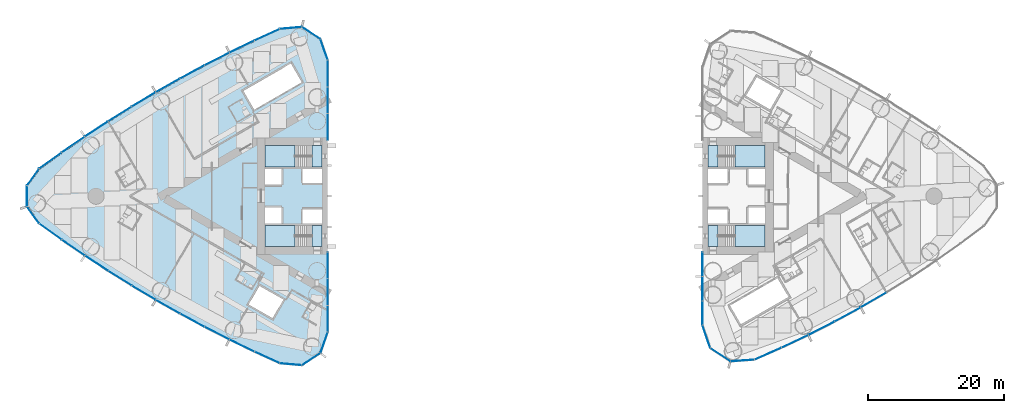
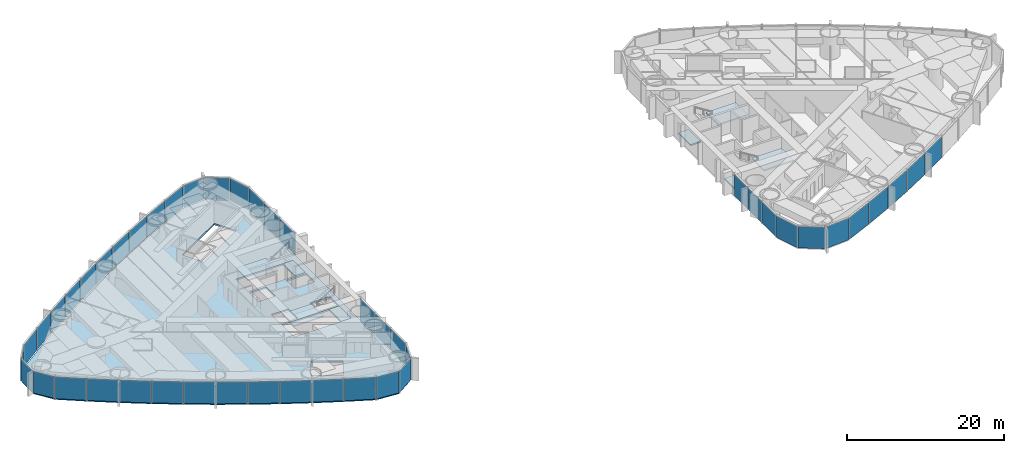
# One storey, part 9 of 18: 46 plates, 9 slabs, 6 elements without a shape of their own.
"""IFC4 building model written with IfcOpenShell, lengths in metres."""

from ifc_helpers import new_model, si_unit, direction, frame, origin, origin_2d, place, context, subcontext, project, spatial, polyline, rectangle, outline, extrude, material, layer, layer_set, type_object, element, aggregate, save


model = new_model("IFC4")

# Units and contexts
model_context = context("Model", 3, precision=1e-05, world=origin(), true_north=direction((0.0, 1.0)))
body_context = subcontext(model_context, "Body", "Model", "MODEL_VIEW")
ifc_project = project(units=[si_unit("LENGTHUNIT", "METRE"), si_unit("AREAUNIT", "SQUARE_METRE"), si_unit("VOLUMEUNIT", "CUBIC_METRE"), si_unit("PLANEANGLEUNIT", "RADIAN"), si_unit("MASSUNIT", "GRAM", prefix="KILO")], contexts=[model_context])

# Site, building, storey
site_placement = place(None, origin())
site = spatial("IfcSite", under=ifc_project, at=site_placement, CompositionType="ELEMENT")
building_placement = place(site_placement, origin())
building = spatial("IfcBuilding", under=site, at=building_placement, Name="Lancet Gate Hotel", CompositionType="ELEMENT")
storey_placement = place(building_placement, frame((0.0, 0.0, 108.10009765625)))
storey = spatial("IfcBuildingStorey", under=building, at=storey_placement, Name="L28", CompositionType="ELEMENT", Elevation=108.10009765625)

# Slab
ifc_material_1 = material(Name="Concrete C50/60", Category="concrete")
ifc_layer_1 = layer(ifc_material_1, 0.25)
ifc_layer_set_1 = layer_set([ifc_layer_1], Name="Floor slab 250")
slab_type_1 = type_object("IfcSlabType", Name="Floor slab 250", PredefinedType="FLOOR", material=ifc_layer_set_1)
slab_1_placement = place(storey_placement, frame((0.0, 0.0, -0.25)))
element("IfcSlab", 1, at=slab_1_placement, inside=storey, type_object=slab_type_1, Name="T1 L28 floor slab", PredefinedType="FLOOR", context=body_context, shape_type="SweptSolid", body=[
    extrude(outline(polyline([(-27.5, 8.60009765625), (-27.6201171875, 8.60009765625), (-27.6201171875, 19.950927734375), (-28.65966796875, 22.970947265625), (-31.320068359375, 24.69921875), (-34.5009765625, 24.421630859375), (-38.201416015625, 22.727783203125), (-41.8818359375, 20.946044921875), (-45.523193359375, 19.085693359375), (-49.12353515625, 17.147216796875), (-52.681396484375, 15.131591796875), (-56.195068359375, 13.0400390625), (-59.662841796875, 10.873291015625), (-63.0830078125, 8.63232421875), (-66.454345703125, 6.318115234375), (-69.76025390625, 3.94287109375), (-71.523193359375, 1.49755859375), (-71.523193359375, -1.49755859375), (-69.76025390625, -3.94287109375), (-66.454345703125, -6.318115234375), (-63.0830078125, -8.63232421875), (-59.662841796875, -10.873291015625), (-56.195068359375, -13.0400390625), (-52.681396484375, -15.131591796875), (-49.12353515625, -17.147216796875), (-45.523193359375, -19.085693359375), (-41.8818359375, -20.946044921875), (-38.201416015625, -22.727783203125), (-34.5009765625, -24.421630859375), (-31.320068359375, -24.69921875), (-28.65966796875, -22.970947265625), (-27.6201171875, -19.950927734375), (-27.6201171875, -8.60009765625), (-27.5, -8.60009765625), (-27.5, -8.199951171875), (-27.5, 8.199951171875), (-27.5, 8.60009765625)]), holes=[polyline([(-36.699951171875, 7.39990234375), (-36.699951171875, 4.300048828125), (-28.300048828125, 4.300048828125), (-28.300048828125, 7.39990234375), (-36.699951171875, 7.39990234375)]), polyline([(-28.300048828125, 4.0), (-31.199951171875, 4.0), (-31.199951171875, 1.89990234375), (-28.300048828125, 1.89990234375), (-28.300048828125, 4.0)]), polyline([(-34.25, 4.0), (-36.699951171875, 4.0), (-36.699951171875, 1.64990234375), (-34.25, 1.64990234375), (-34.25, 4.0)]), polyline([(-36.699951171875, -1.64990234375), (-36.699951171875, -4.0), (-34.25, -4.0), (-34.25, -1.64990234375), (-36.699951171875, -1.64990234375)]), polyline([(-28.300048828125, -1.89990234375), (-31.199951171875, -1.89990234375), (-31.199951171875, -4.0), (-28.300048828125, -4.0), (-28.300048828125, -1.89990234375)]), polyline([(-28.300048828125, -4.300048828125), (-36.699951171875, -4.300048828125), (-36.699951171875, -7.39990234375), (-28.300048828125, -7.39990234375), (-28.300048828125, -4.300048828125)]), polyline([(-31.2900390625, 16.73095703125), (-32.889892578125, 19.501953125), (-39.904052734375, 15.451904296875), (-38.303955078125, 12.680908203125), (-31.2900390625, 16.73095703125)]), polyline([(-33.97412109375, -15.180908203125), (-37.52490234375, -13.131103515625), (-39.125, -15.902099609375), (-35.573974609375, -17.951904296875), (-33.97412109375, -15.180908203125)])]), origin(), (0.0, 0.0, 1.0), 0.25),
])

# Stair, slabs
ifc_material_2 = material(Name="Exit stair 20 risers 1500")
stair_type = type_object("IfcStairType", Name="Exit stair 20 risers 1500", PredefinedType="HALF_TURN_STAIR", material=ifc_material_2)
stair_1_placement = place(storey_placement, origin())
stair_1 = element("IfcStair", 2, at=stair_1_placement, inside=storey, type_object=stair_type, Name="T1 stair 1 L28", PredefinedType="HALF_TURN_STAIR")
ifc_material_3 = material(Name="Concrete C40/50", Category="concrete")
ifc_layer_2 = layer(ifc_material_3, 0.199951171875)
ifc_layer_set_2 = layer_set([ifc_layer_2], Name="Stair landing 200")
slab_type_2 = type_object("IfcSlabType", Name="Stair landing 200", PredefinedType="LANDING", material=ifc_layer_set_2)
slab_2_placement = place(storey_placement, frame((0.0, 0.0, -0.2001953125)))
slab_2 = element("IfcSlab", 3, at=slab_2_placement, type_object=slab_type_2, Name="ST1 landing 1", PredefinedType="LANDING", context=body_context, shape_type="SweptSolid", body=[
    extrude(outline(polyline([(-28.300048828125, 7.39990234375), (-29.800048828125, 7.39990234375), (-29.800048828125, 4.300048828125), (-28.300048828125, 4.300048828125), (-28.300048828125, 7.39990234375)])), origin(), (0.0, 0.0, 1.0), 0.2001953125),
])
slab_3_placement = place(storey_placement, frame((0.0, 0.0, 1.5498046875)))
slab_3 = element("IfcSlab", 4, at=slab_3_placement, type_object=slab_type_2, Name="ST1 landing 2", PredefinedType="LANDING", context=body_context, shape_type="SweptSolid", body=[
    extrude(outline(polyline([(-32.320068359375, 7.39990234375), (-36.699951171875, 7.39990234375), (-36.699951171875, 4.300048828125), (-32.320068359375, 4.300048828125), (-32.320068359375, 7.39990234375)])), origin(), (0.0, 0.0, 1.0), 0.2001953125),
])
aggregate(stair_1, [slab_2, slab_3])

stair_2_placement = place(storey_placement, origin())
stair_2 = element("IfcStair", 5, at=stair_2_placement, inside=storey, type_object=stair_type, Name="T1 stair 2 L28", PredefinedType="HALF_TURN_STAIR")
slab_4_placement = place(storey_placement, frame((0.0, 0.0, -0.2001953125)))
slab_4 = element("IfcSlab", 6, at=slab_4_placement, type_object=slab_type_2, Name="ST2 landing 1", PredefinedType="LANDING", context=body_context, shape_type="SweptSolid", body=[
    extrude(outline(polyline([(-28.300048828125, -4.300048828125), (-29.800048828125, -4.300048828125), (-29.800048828125, -7.39990234375), (-28.300048828125, -7.39990234375), (-28.300048828125, -4.300048828125)])), origin(), (0.0, 0.0, 1.0), 0.2001953125),
])
slab_5_placement = place(storey_placement, frame((0.0, 0.0, 1.5498046875)))
slab_5 = element("IfcSlab", 7, at=slab_5_placement, type_object=slab_type_2, Name="ST2 landing 2", PredefinedType="LANDING", context=body_context, shape_type="SweptSolid", body=[
    extrude(outline(polyline([(-32.320068359375, -4.300048828125), (-36.699951171875, -4.300048828125), (-36.699951171875, -7.39990234375), (-32.320068359375, -7.39990234375), (-32.320068359375, -4.300048828125)])), origin(), (0.0, 0.0, 1.0), 0.2001953125),
])
aggregate(stair_2, [slab_4, slab_5])

stair_3_placement = place(storey_placement, origin())
stair_3 = element("IfcStair", 8, at=stair_3_placement, inside=storey, type_object=stair_type, Name="T2 stair 1 L28", PredefinedType="HALF_TURN_STAIR")
slab_6_placement = place(storey_placement, frame((0.0, 0.0, -0.2001953125)))
slab_6 = element("IfcSlab", 9, at=slab_6_placement, type_object=slab_type_2, Name="ST3 landing 1", PredefinedType="LANDING", context=body_context, shape_type="SweptSolid", body=[
    extrude(outline(polyline([(28.300048828125, -7.39990234375), (29.800048828125, -7.39990234375), (29.800048828125, -4.300048828125), (28.300048828125, -4.300048828125), (28.300048828125, -7.39990234375)])), origin(), (0.0, 0.0, 1.0), 0.2001953125),
])
slab_7_placement = place(storey_placement, frame((0.0, 0.0, 1.5498046875)))
slab_7 = element("IfcSlab", 10, at=slab_7_placement, type_object=slab_type_2, Name="ST3 landing 2", PredefinedType="LANDING", context=body_context, shape_type="SweptSolid", body=[
    extrude(outline(polyline([(32.320068359375, -7.39990234375), (36.699951171875, -7.39990234375), (36.699951171875, -4.300048828125), (32.320068359375, -4.300048828125), (32.320068359375, -7.39990234375)])), origin(), (0.0, 0.0, 1.0), 0.2001953125),
])
aggregate(stair_3, [slab_6, slab_7])

stair_4_placement = place(storey_placement, origin())
stair_4 = element("IfcStair", 11, at=stair_4_placement, inside=storey, type_object=stair_type, Name="T2 stair 2 L28", PredefinedType="HALF_TURN_STAIR")
slab_8_placement = place(storey_placement, frame((0.0, 0.0, -0.2001953125)))
slab_8 = element("IfcSlab", 12, at=slab_8_placement, type_object=slab_type_2, Name="ST4 landing 1", PredefinedType="LANDING", context=body_context, shape_type="SweptSolid", body=[
    extrude(outline(polyline([(28.300048828125, 4.300048828125), (29.800048828125, 4.300048828125), (29.800048828125, 7.39990234375), (28.300048828125, 7.39990234375), (28.300048828125, 4.300048828125)])), origin(), (0.0, 0.0, 1.0), 0.2001953125),
])
slab_9_placement = place(storey_placement, frame((0.0, 0.0, 1.5498046875)))
slab_9 = element("IfcSlab", 13, at=slab_9_placement, type_object=slab_type_2, Name="ST4 landing 2", PredefinedType="LANDING", context=body_context, shape_type="SweptSolid", body=[
    extrude(outline(polyline([(32.320068359375, 4.300048828125), (36.699951171875, 4.300048828125), (36.699951171875, 7.39990234375), (32.320068359375, 7.39990234375), (32.320068359375, 4.300048828125)])), origin(), (0.0, 0.0, 1.0), 0.2001953125),
])
aggregate(stair_4, [slab_8, slab_9])

# Curtain wall, plates
ifc_material_4 = material(Name="Aluminium curtain wall", Category="aluminium")
curtain_wall_type = type_object("IfcCurtainWallType", Name="Tower unitised curtain wall", PredefinedType="USERDEFINED", material=ifc_material_4)
curtain_wall_1_placement = place(storey_placement, origin())
curtain_wall_1 = element("IfcCurtainWall", 14, at=curtain_wall_1_placement, inside=storey, type_object=curtain_wall_type, Name="T1 L28 curtain wall 1", ObjectType="UNITISED CURTAIN WALL", PredefinedType="USERDEFINED")
ifc_material_5 = material(Name="Glass double glazed unit 8-16-6", Category="glass")
ifc_layer_3 = layer(ifc_material_5, 0.030029296875)
ifc_layer_set_3 = layer_set([ifc_layer_3], Name="Vision panel double glazed")
plate_type = type_object("IfcPlateType", Name="Vision panel double glazed", PredefinedType="CURTAIN_PANEL", material=ifc_layer_set_3)
plate_1_placement = place(storey_placement, frame((-27.5, 10.161865234375, -0.000244140625), z_axis=(0.0, 0.0, 1.0), x_axis=(0.0, 1.0, 0.0)))
plate_1 = element("IfcPlate", 15, at=plate_1_placement, type_object=plate_type, Name="T1 L28 curtain wall 1 panel 1", PredefinedType="CURTAIN_PANEL", context=body_context, shape_type="SweptSolid", body=[
    extrude(rectangle(XDim=3.858642578125, YDim=0.030029296875, at=origin_2d()), origin(), (0.0, 0.0, 1.0), 3.35009765625),
])
plate_2_placement = place(storey_placement, frame((-27.5, 14.08544921875, -0.000244140625), z_axis=(0.0, 0.0, 1.0), x_axis=(0.0, 1.0, 0.0)))
plate_2 = element("IfcPlate", 16, at=plate_2_placement, type_object=plate_type, Name="T1 L28 curtain wall 1 panel 2", PredefinedType="CURTAIN_PANEL", context=body_context, shape_type="SweptSolid", body=[
    extrude(rectangle(XDim=3.858642578125, YDim=0.030029296875, at=origin_2d()), origin(), (0.0, 0.0, 1.0), 3.35009765625),
])
plate_3_placement = place(storey_placement, frame((-27.5, 18.00927734375, -0.000244140625), z_axis=(0.0, 0.0, 1.0), x_axis=(0.0, 1.0, 0.0)))
plate_3 = element("IfcPlate", 17, at=plate_3_placement, type_object=plate_type, Name="T1 L28 curtain wall 1 panel 3", PredefinedType="CURTAIN_PANEL", context=body_context, shape_type="SweptSolid", body=[
    extrude(rectangle(XDim=3.858642578125, YDim=0.030029296875, at=origin_2d()), origin(), (0.0, 0.0, 1.0), 3.35009765625),
])
plate_4_placement = place(storey_placement, frame((-28.02978515625, 21.510009765625, -0.000244140625), z_axis=(0.0, 0.0, 1.0), x_axis=(-0.325515820766, 0.945536593914, 0.0)))
plate_4 = element("IfcPlate", 18, at=plate_4_placement, type_object=plate_type, Name="T1 L28 curtain wall 1 panel 4", PredefinedType="CURTAIN_PANEL", context=body_context, shape_type="SweptSolid", body=[
    extrude(rectangle(XDim=3.190185546875, YDim=0.030029296875, at=origin_2d()), origin(), (0.0, 0.0, 1.0), 3.35009765625),
])
plate_5_placement = place(storey_placement, frame((-29.924560546875, 23.935546875, -0.000244140625), z_axis=(0.0, 0.0, 1.0), x_axis=(-0.838580121261, 0.544778285385, 0.0)))
plate_5 = element("IfcPlate", 19, at=plate_5_placement, type_object=plate_type, Name="T1 L28 curtain wall 1 panel 5", PredefinedType="CURTAIN_PANEL", context=body_context, shape_type="SweptSolid", body=[
    extrude(rectangle(XDim=3.190185546875, YDim=0.030029296875, at=origin_2d()), origin(), (0.0, 0.0, 1.0), 3.35009765625),
])
plate_6_placement = place(storey_placement, frame((-32.91064453125, 24.680908203125, -0.000244140625), z_axis=(0.0, 0.0, 1.0), x_axis=(-0.996218779711, -0.086880049207, 0.0)))
plate_6 = element("IfcPlate", 20, at=plate_6_placement, type_object=plate_type, Name="T1 L28 curtain wall 1 panel 6", PredefinedType="CURTAIN_PANEL", context=body_context, shape_type="SweptSolid", body=[
    extrude(rectangle(XDim=3.190185546875, YDim=0.030029296875, at=origin_2d()), origin(), (0.0, 0.0, 1.0), 3.35009765625),
])
plate_7_placement = place(storey_placement, frame((-36.392333984375, 23.68798828125, -0.000244140625), z_axis=(0.0, 0.0, 1.0), x_axis=(-0.909252721243, -0.416244506166, 0.0)))
plate_7 = element("IfcPlate", 21, at=plate_7_placement, type_object=plate_type, Name="T1 L28 curtain wall 1 panel 7", PredefinedType="CURTAIN_PANEL", context=body_context, shape_type="SweptSolid", body=[
    extrude(rectangle(XDim=4.026611328125, YDim=0.030029296875, at=origin_2d()), origin(), (0.0, 0.0, 1.0), 3.35009765625),
])
plate_8_placement = place(storey_placement, frame((-40.093994140625, 21.945068359375, -0.000244140625), z_axis=(0.0, 0.0, 1.0), x_axis=(-0.900081672047, -0.435721222395, 0.0)))
plate_8 = element("IfcPlate", 22, at=plate_8_placement, type_object=plate_type, Name="T1 L28 curtain wall 1 panel 8", PredefinedType="CURTAIN_PANEL", context=body_context, shape_type="SweptSolid", body=[
    extrude(rectangle(XDim=4.026611328125, YDim=0.030029296875, at=origin_2d()), origin(), (0.0, 0.0, 1.0), 3.35009765625),
])
plate_9_placement = place(storey_placement, frame((-43.757080078125, 20.122802734375, -0.000244140625), z_axis=(0.0, 0.0, 1.0), x_axis=(-0.890493479451, -0.45499600334, 0.0)))
plate_9 = element("IfcPlate", 23, at=plate_9_placement, type_object=plate_type, Name="T1 L28 curtain wall 1 panel 9", PredefinedType="CURTAIN_PANEL", context=body_context, shape_type="SweptSolid", body=[
    extrude(rectangle(XDim=4.026611328125, YDim=0.030029296875, at=origin_2d()), origin(), (0.0, 0.0, 1.0), 3.35009765625),
])
plate_10_placement = place(storey_placement, frame((-47.380126953125, 18.221923828125, -0.000244140625), z_axis=(0.0, 0.0, 1.0), x_axis=(-0.880492587094, -0.474059916121, 0.0)))
plate_10 = element("IfcPlate", 24, at=plate_10_placement, type_object=plate_type, Name="T1 L28 curtain wall 1 panel 10", PredefinedType="CURTAIN_PANEL", context=body_context, shape_type="SweptSolid", body=[
    extrude(rectangle(XDim=4.026611328125, YDim=0.030029296875, at=origin_2d()), origin(), (0.0, 0.0, 1.0), 3.35009765625),
])
plate_11_placement = place(storey_placement, frame((-50.961669921875, 16.243896484375, -0.000244140625), z_axis=(0.0, 0.0, 1.0), x_axis=(-0.870083629903, -0.49290412554, 0.0)))
plate_11 = element("IfcPlate", 25, at=plate_11_placement, type_object=plate_type, Name="T1 L28 curtain wall 1 panel 11", PredefinedType="CURTAIN_PANEL", context=body_context, shape_type="SweptSolid", body=[
    extrude(rectangle(XDim=4.026611328125, YDim=0.030029296875, at=origin_2d()), origin(), (0.0, 0.0, 1.0), 3.35009765625),
])
plate_12_placement = place(storey_placement, frame((-54.49951171875, 14.18896484375, -0.000244140625), z_axis=(0.0, 0.0, 1.0), x_axis=(-0.859271431916, -0.511519898238, 0.0)))
plate_12 = element("IfcPlate", 26, at=plate_12_placement, type_object=plate_type, Name="T1 L28 curtain wall 1 panel 12", PredefinedType="CURTAIN_PANEL", context=body_context, shape_type="SweptSolid", body=[
    extrude(rectangle(XDim=4.026611328125, YDim=0.030029296875, at=origin_2d()), origin(), (0.0, 0.0, 1.0), 3.35009765625),
])
plate_13_placement = place(storey_placement, frame((-57.992431640625, 12.058349609375, -0.000244140625), z_axis=(0.0, 0.0, 1.0), x_axis=(-0.848061004052, -0.529898606722, 0.0)))
plate_13 = element("IfcPlate", 27, at=plate_13_placement, type_object=plate_type, Name="T1 L28 curtain wall 1 panel 13", PredefinedType="CURTAIN_PANEL", context=body_context, shape_type="SweptSolid", body=[
    extrude(rectangle(XDim=4.026611328125, YDim=0.030029296875, at=origin_2d()), origin(), (0.0, 0.0, 1.0), 3.35009765625),
])
plate_14_placement = place(storey_placement, frame((-61.438720703125, 9.85302734375, -0.000244140625), z_axis=(0.0, 0.0, 1.0), x_axis=(-0.836457541791, -0.54803173337, 0.0)))
plate_14 = element("IfcPlate", 28, at=plate_14_placement, type_object=plate_type, Name="T1 L28 curtain wall 1 panel 14", PredefinedType="CURTAIN_PANEL", context=body_context, shape_type="SweptSolid", body=[
    extrude(rectangle(XDim=4.026611328125, YDim=0.030029296875, at=origin_2d()), origin(), (0.0, 0.0, 1.0), 3.35009765625),
])
plate_15_placement = place(storey_placement, frame((-64.836669921875, 7.57421875, -0.000244140625), z_axis=(0.0, 0.0, 1.0), x_axis=(-0.824466422775, -0.565910874357, 0.0)))
plate_15 = element("IfcPlate", 29, at=plate_15_placement, type_object=plate_type, Name="T1 L28 curtain wall 1 panel 15", PredefinedType="CURTAIN_PANEL", context=body_context, shape_type="SweptSolid", body=[
    extrude(rectangle(XDim=4.026611328125, YDim=0.030029296875, at=origin_2d()), origin(), (0.0, 0.0, 1.0), 3.35009765625),
])
plate_16_placement = place(storey_placement, frame((-68.184814453125, 5.22265625, -0.000244140625), z_axis=(0.0, 0.0, 1.0), x_axis=(-0.812093204276, -0.583527743615, 0.0)))
plate_16 = element("IfcPlate", 30, at=plate_16_placement, type_object=plate_type, Name="T1 L28 curtain wall 1 panel 16", PredefinedType="CURTAIN_PANEL", context=body_context, shape_type="SweptSolid", body=[
    extrude(rectangle(XDim=4.026611328125, YDim=0.030029296875, at=origin_2d()), origin(), (0.0, 0.0, 1.0), 3.35009765625),
])
plate_17_placement = place(storey_placement, frame((-70.74462890625, 2.782470703125, -0.000244140625), z_axis=(0.0, 0.0, 1.0), x_axis=(-0.584808645706, -0.811171281486, 0.0)))
plate_17 = element("IfcPlate", 31, at=plate_17_placement, type_object=plate_type, Name="T1 L28 curtain wall 1 panel 17", PredefinedType="CURTAIN_PANEL", context=body_context, shape_type="SweptSolid", body=[
    extrude(rectangle(XDim=3.0078125, YDim=0.030029296875, at=origin_2d()), origin(), (0.0, 0.0, 1.0), 3.35009765625),
])
plate_18_placement = place(storey_placement, frame((-71.64306640625, 0.0, -0.000244140625), z_axis=(0.0, 0.0, 1.0), x_axis=(0.0, -1.0, 0.0)))
plate_18 = element("IfcPlate", 32, at=plate_18_placement, type_object=plate_type, Name="T1 L28 curtain wall 1 panel 18", PredefinedType="CURTAIN_PANEL", context=body_context, shape_type="SweptSolid", body=[
    extrude(rectangle(XDim=3.0078125, YDim=0.030029296875, at=origin_2d()), origin(), (0.0, 0.0, 1.0), 3.35009765625),
])
plate_19_placement = place(storey_placement, frame((-70.74462890625, -2.782470703125, -0.000244140625), z_axis=(0.0, 0.0, 1.0), x_axis=(0.584808645706, -0.811171281486, 0.0)))
plate_19 = element("IfcPlate", 33, at=plate_19_placement, type_object=plate_type, Name="T1 L28 curtain wall 1 panel 19", PredefinedType="CURTAIN_PANEL", context=body_context, shape_type="SweptSolid", body=[
    extrude(rectangle(XDim=3.0078125, YDim=0.030029296875, at=origin_2d()), origin(), (0.0, 0.0, 1.0), 3.35009765625),
])
plate_20_placement = place(storey_placement, frame((-68.184814453125, -5.22265625, -0.000244140625), z_axis=(0.0, 0.0, 1.0), x_axis=(0.812093204276, -0.583527743615, 0.0)))
plate_20 = element("IfcPlate", 34, at=plate_20_placement, type_object=plate_type, Name="T1 L28 curtain wall 1 panel 20", PredefinedType="CURTAIN_PANEL", context=body_context, shape_type="SweptSolid", body=[
    extrude(rectangle(XDim=4.026611328125, YDim=0.030029296875, at=origin_2d()), origin(), (0.0, 0.0, 1.0), 3.35009765625),
])
plate_21_placement = place(storey_placement, frame((-64.836669921875, -7.57421875, -0.000244140625), z_axis=(0.0, 0.0, 1.0), x_axis=(0.824466422775, -0.565910874357, 0.0)))
plate_21 = element("IfcPlate", 35, at=plate_21_placement, type_object=plate_type, Name="T1 L28 curtain wall 1 panel 21", PredefinedType="CURTAIN_PANEL", context=body_context, shape_type="SweptSolid", body=[
    extrude(rectangle(XDim=4.026611328125, YDim=0.030029296875, at=origin_2d()), origin(), (0.0, 0.0, 1.0), 3.35009765625),
])
plate_22_placement = place(storey_placement, frame((-61.438720703125, -9.85302734375, -0.000244140625), z_axis=(0.0, 0.0, 1.0), x_axis=(0.836457541791, -0.54803173337, 0.0)))
plate_22 = element("IfcPlate", 36, at=plate_22_placement, type_object=plate_type, Name="T1 L28 curtain wall 1 panel 22", PredefinedType="CURTAIN_PANEL", context=body_context, shape_type="SweptSolid", body=[
    extrude(rectangle(XDim=4.026611328125, YDim=0.030029296875, at=origin_2d()), origin(), (0.0, 0.0, 1.0), 3.35009765625),
])
plate_23_placement = place(storey_placement, frame((-57.992431640625, -12.058349609375, -0.000244140625), z_axis=(0.0, 0.0, 1.0), x_axis=(0.848061004052, -0.529898606722, 0.0)))
plate_23 = element("IfcPlate", 37, at=plate_23_placement, type_object=plate_type, Name="T1 L28 curtain wall 1 panel 23", PredefinedType="CURTAIN_PANEL", context=body_context, shape_type="SweptSolid", body=[
    extrude(rectangle(XDim=4.026611328125, YDim=0.030029296875, at=origin_2d()), origin(), (0.0, 0.0, 1.0), 3.35009765625),
])
plate_24_placement = place(storey_placement, frame((-54.49951171875, -14.18896484375, -0.000244140625), z_axis=(0.0, 0.0, 1.0), x_axis=(0.859271431916, -0.511519898238, 0.0)))
plate_24 = element("IfcPlate", 38, at=plate_24_placement, type_object=plate_type, Name="T1 L28 curtain wall 1 panel 24", PredefinedType="CURTAIN_PANEL", context=body_context, shape_type="SweptSolid", body=[
    extrude(rectangle(XDim=4.026611328125, YDim=0.030029296875, at=origin_2d()), origin(), (0.0, 0.0, 1.0), 3.35009765625),
])
plate_25_placement = place(storey_placement, frame((-50.961669921875, -16.243896484375, -0.000244140625), z_axis=(0.0, 0.0, 1.0), x_axis=(0.870083629903, -0.49290412554, 0.0)))
plate_25 = element("IfcPlate", 39, at=plate_25_placement, type_object=plate_type, Name="T1 L28 curtain wall 1 panel 25", PredefinedType="CURTAIN_PANEL", context=body_context, shape_type="SweptSolid", body=[
    extrude(rectangle(XDim=4.026611328125, YDim=0.030029296875, at=origin_2d()), origin(), (0.0, 0.0, 1.0), 3.35009765625),
])
plate_26_placement = place(storey_placement, frame((-47.380126953125, -18.221923828125, -0.000244140625), z_axis=(0.0, 0.0, 1.0), x_axis=(0.880492587094, -0.474059916121, 0.0)))
plate_26 = element("IfcPlate", 40, at=plate_26_placement, type_object=plate_type, Name="T1 L28 curtain wall 1 panel 26", PredefinedType="CURTAIN_PANEL", context=body_context, shape_type="SweptSolid", body=[
    extrude(rectangle(XDim=4.026611328125, YDim=0.030029296875, at=origin_2d()), origin(), (0.0, 0.0, 1.0), 3.35009765625),
])
plate_27_placement = place(storey_placement, frame((-43.757080078125, -20.122802734375, -0.000244140625), z_axis=(0.0, 0.0, 1.0), x_axis=(0.890493479451, -0.45499600334, 0.0)))
plate_27 = element("IfcPlate", 41, at=plate_27_placement, type_object=plate_type, Name="T1 L28 curtain wall 1 panel 27", PredefinedType="CURTAIN_PANEL", context=body_context, shape_type="SweptSolid", body=[
    extrude(rectangle(XDim=4.026611328125, YDim=0.030029296875, at=origin_2d()), origin(), (0.0, 0.0, 1.0), 3.35009765625),
])
plate_28_placement = place(storey_placement, frame((-40.093994140625, -21.945068359375, -0.000244140625), z_axis=(0.0, 0.0, 1.0), x_axis=(0.900081672047, -0.435721222395, 0.0)))
plate_28 = element("IfcPlate", 42, at=plate_28_placement, type_object=plate_type, Name="T1 L28 curtain wall 1 panel 28", PredefinedType="CURTAIN_PANEL", context=body_context, shape_type="SweptSolid", body=[
    extrude(rectangle(XDim=4.026611328125, YDim=0.030029296875, at=origin_2d()), origin(), (0.0, 0.0, 1.0), 3.35009765625),
])
plate_29_placement = place(storey_placement, frame((-36.392333984375, -23.68798828125, -0.000244140625), z_axis=(0.0, 0.0, 1.0), x_axis=(0.909252721243, -0.416244506166, 0.0)))
plate_29 = element("IfcPlate", 43, at=plate_29_placement, type_object=plate_type, Name="T1 L28 curtain wall 1 panel 29", PredefinedType="CURTAIN_PANEL", context=body_context, shape_type="SweptSolid", body=[
    extrude(rectangle(XDim=4.026611328125, YDim=0.030029296875, at=origin_2d()), origin(), (0.0, 0.0, 1.0), 3.35009765625),
])
plate_30_placement = place(storey_placement, frame((-32.91064453125, -24.680908203125, -0.000244140625), z_axis=(0.0, 0.0, 1.0), x_axis=(0.996218779711, -0.086880049207, 0.0)))
plate_30 = element("IfcPlate", 44, at=plate_30_placement, type_object=plate_type, Name="T1 L28 curtain wall 1 panel 30", PredefinedType="CURTAIN_PANEL", context=body_context, shape_type="SweptSolid", body=[
    extrude(rectangle(XDim=3.190185546875, YDim=0.030029296875, at=origin_2d()), origin(), (0.0, 0.0, 1.0), 3.35009765625),
])
plate_31_placement = place(storey_placement, frame((-29.924560546875, -23.935546875, -0.000244140625), z_axis=(0.0, 0.0, 1.0), x_axis=(0.838580121261, 0.544778285385, 0.0)))
plate_31 = element("IfcPlate", 45, at=plate_31_placement, type_object=plate_type, Name="T1 L28 curtain wall 1 panel 31", PredefinedType="CURTAIN_PANEL", context=body_context, shape_type="SweptSolid", body=[
    extrude(rectangle(XDim=3.190185546875, YDim=0.030029296875, at=origin_2d()), origin(), (0.0, 0.0, 1.0), 3.35009765625),
])
plate_32_placement = place(storey_placement, frame((-28.02978515625, -21.510009765625, -0.000244140625), z_axis=(0.0, 0.0, 1.0), x_axis=(0.325515820766, 0.945536593914, 0.0)))
plate_32 = element("IfcPlate", 46, at=plate_32_placement, type_object=plate_type, Name="T1 L28 curtain wall 1 panel 32", PredefinedType="CURTAIN_PANEL", context=body_context, shape_type="SweptSolid", body=[
    extrude(rectangle(XDim=3.190185546875, YDim=0.030029296875, at=origin_2d()), origin(), (0.0, 0.0, 1.0), 3.35009765625),
])
plate_33_placement = place(storey_placement, frame((-27.5, -18.00927734375, -0.000244140625), z_axis=(0.0, 0.0, 1.0), x_axis=(0.0, 1.0, 0.0)))
plate_33 = element("IfcPlate", 47, at=plate_33_placement, type_object=plate_type, Name="T1 L28 curtain wall 1 panel 33", PredefinedType="CURTAIN_PANEL", context=body_context, shape_type="SweptSolid", body=[
    extrude(rectangle(XDim=3.858642578125, YDim=0.030029296875, at=origin_2d()), origin(), (0.0, 0.0, 1.0), 3.35009765625),
])
plate_34_placement = place(storey_placement, frame((-27.5, -14.08544921875, -0.000244140625), z_axis=(0.0, 0.0, 1.0), x_axis=(0.0, 1.0, 0.0)))
plate_34 = element("IfcPlate", 48, at=plate_34_placement, type_object=plate_type, Name="T1 L28 curtain wall 1 panel 34", PredefinedType="CURTAIN_PANEL", context=body_context, shape_type="SweptSolid", body=[
    extrude(rectangle(XDim=3.858642578125, YDim=0.030029296875, at=origin_2d()), origin(), (0.0, 0.0, 1.0), 3.35009765625),
])
plate_35_placement = place(storey_placement, frame((-27.5, -10.161865234375, -0.000244140625), z_axis=(0.0, 0.0, 1.0), x_axis=(0.0, 1.0, 0.0)))
plate_35 = element("IfcPlate", 49, at=plate_35_placement, type_object=plate_type, Name="T1 L28 curtain wall 1 panel 35", PredefinedType="CURTAIN_PANEL", context=body_context, shape_type="SweptSolid", body=[
    extrude(rectangle(XDim=3.858642578125, YDim=0.030029296875, at=origin_2d()), origin(), (0.0, 0.0, 1.0), 3.35009765625),
])
aggregate(curtain_wall_1, [plate_1, plate_2, plate_3, plate_4, plate_5, plate_6, plate_7, plate_8, plate_9, plate_10, plate_11, plate_12, plate_13, plate_14, plate_15, plate_16, plate_17, plate_18, plate_19, plate_20, plate_21, plate_22, plate_23, plate_24, plate_25, plate_26, plate_27, plate_28, plate_29, plate_30, plate_31, plate_32, plate_33, plate_34, plate_35])

curtain_wall_2_placement = place(storey_placement, origin())
curtain_wall_2 = element("IfcCurtainWall", 50, at=curtain_wall_2_placement, inside=storey, type_object=curtain_wall_type, Name="T2 L28 curtain wall 1", ObjectType="UNITISED CURTAIN WALL", PredefinedType="USERDEFINED")
plate_36_placement = place(storey_placement, frame((27.5, -9.990478515625, -0.000244140625), z_axis=(0.0, 0.0, 1.0), x_axis=(0.0, -1.0, 0.0)))
plate_36 = element("IfcPlate", 51, at=plate_36_placement, type_object=plate_type, Name="T2 L28 curtain wall 1 panel 1", PredefinedType="CURTAIN_PANEL", context=body_context, shape_type="SweptSolid", body=[
    extrude(rectangle(XDim=3.515869140625, YDim=0.030029296875, at=origin_2d()), origin(), (0.0, 0.0, 1.0), 3.35009765625),
])
plate_37_placement = place(storey_placement, frame((27.5, -13.571533203125, -0.000244140625), z_axis=(0.0, 0.0, 1.0), x_axis=(0.0, -1.0, 0.0)))
plate_37 = element("IfcPlate", 52, at=plate_37_placement, type_object=plate_type, Name="T2 L28 curtain wall 1 panel 2", PredefinedType="CURTAIN_PANEL", context=body_context, shape_type="SweptSolid", body=[
    extrude(rectangle(XDim=3.515869140625, YDim=0.030029296875, at=origin_2d()), origin(), (0.0, 0.0, 1.0), 3.35009765625),
])
plate_38_placement = place(storey_placement, frame((27.5, -17.15234375, -0.000244140625), z_axis=(0.0, 0.0, 1.0), x_axis=(0.0, -1.0, 0.0)))
plate_38 = element("IfcPlate", 53, at=plate_38_placement, type_object=plate_type, Name="T2 L28 curtain wall 1 panel 3", PredefinedType="CURTAIN_PANEL", context=body_context, shape_type="SweptSolid", body=[
    extrude(rectangle(XDim=3.515869140625, YDim=0.030029296875, at=origin_2d()), origin(), (0.0, 0.0, 1.0), 3.35009765625),
])
plate_39_placement = place(storey_placement, frame((28.072265625, -20.622314453125, -0.000244140625), z_axis=(0.0, 0.0, 1.0), x_axis=(0.32257568891, -0.946543673015, 0.0)))
plate_39 = element("IfcPlate", 54, at=plate_39_placement, type_object=plate_type, Name="T2 L28 curtain wall 1 panel 4", PredefinedType="CURTAIN_PANEL", context=body_context, shape_type="SweptSolid", body=[
    extrude(rectangle(XDim=3.4833984375, YDim=0.030029296875, at=origin_2d()), origin(), (0.0, 0.0, 1.0), 3.35009765625),
])
plate_40_placement = place(storey_placement, frame((30.123291015625, -23.281982421875, -0.000244140625), z_axis=(0.0, 0.0, 1.0), x_axis=(0.833464516611, -0.552572981198, 0.0)))
plate_40 = element("IfcPlate", 55, at=plate_40_placement, type_object=plate_type, Name="T2 L28 curtain wall 1 panel 5", PredefinedType="CURTAIN_PANEL", context=body_context, shape_type="SweptSolid", body=[
    extrude(rectangle(XDim=3.4833984375, YDim=0.030029296875, at=origin_2d()), origin(), (0.0, 0.0, 1.0), 3.35009765625),
])
plate_41_placement = place(storey_placement, frame((33.37158203125, -24.1357421875, -0.000244140625), z_axis=(0.0, 0.0, 1.0), x_axis=(0.997448492935, 0.07138980278, 0.0)))
plate_41 = element("IfcPlate", 56, at=plate_41_placement, type_object=plate_type, Name="T2 L28 curtain wall 1 panel 6", PredefinedType="CURTAIN_PANEL", context=body_context, shape_type="SweptSolid", body=[
    extrude(rectangle(XDim=3.4833984375, YDim=0.030029296875, at=origin_2d()), origin(), (0.0, 0.0, 1.0), 3.35009765625),
])
plate_42_placement = place(storey_placement, frame((37.13134765625, -23.13427734375, -0.000244140625), z_axis=(0.0, 0.0, 1.0), x_axis=(0.915478658759, 0.40236653111, 0.0)))
plate_42 = element("IfcPlate", 57, at=plate_42_placement, type_object=plate_type, Name="T2 L28 curtain wall 1 panel 7", PredefinedType="CURTAIN_PANEL", context=body_context, shape_type="SweptSolid", body=[
    extrude(rectangle(XDim=4.2822265625, YDim=0.030029296875, at=origin_2d()), origin(), (0.0, 0.0, 1.0), 3.35009765625),
])
plate_43_placement = place(storey_placement, frame((41.08544921875, -21.3291015625, -0.000244140625), z_axis=(0.0, 0.0, 1.0), x_axis=(0.903683440096, 0.428201167789, 0.0)))
plate_43 = element("IfcPlate", 58, at=plate_43_placement, type_object=plate_type, Name="T2 L28 curtain wall 1 panel 8", PredefinedType="CURTAIN_PANEL", context=body_context, shape_type="SweptSolid", body=[
    extrude(rectangle(XDim=4.2822265625, YDim=0.030029296875, at=origin_2d()), origin(), (0.0, 0.0, 1.0), 3.35009765625),
])
plate_44_placement = place(storey_placement, frame((44.98681640625, -19.412109375, -0.000244140625), z_axis=(0.0, 0.0, 1.0), x_axis=(0.891159350462, 0.453690436403, 0.0)))
plate_44 = element("IfcPlate", 59, at=plate_44_placement, type_object=plate_type, Name="T2 L28 curtain wall 1 panel 9", PredefinedType="CURTAIN_PANEL", context=body_context, shape_type="SweptSolid", body=[
    extrude(rectangle(XDim=4.2822265625, YDim=0.030029296875, at=origin_2d()), origin(), (0.0, 0.0, 1.0), 3.35009765625),
])
plate_45_placement = place(storey_placement, frame((48.832275390625, -17.38525390625, -0.000244140625), z_axis=(0.0, 0.0, 1.0), x_axis=(0.877916491224, 0.478813778454, 0.0)))
plate_45 = element("IfcPlate", 60, at=plate_45_placement, type_object=plate_type, Name="T2 L28 curtain wall 1 panel 10", PredefinedType="CURTAIN_PANEL", context=body_context, shape_type="SweptSolid", body=[
    extrude(rectangle(XDim=4.2822265625, YDim=0.030029296875, at=origin_2d()), origin(), (0.0, 0.0, 1.0), 3.35009765625),
])
plate_46_placement = place(storey_placement, frame((52.618408203125, -15.249755859375, -0.000244140625), z_axis=(0.0, 0.0, 1.0), x_axis=(0.863965543499, 0.503550930538, 0.0)))
plate_46 = element("IfcPlate", 61, at=plate_46_placement, type_object=plate_type, Name="T2 L28 curtain wall 1 panel 11", PredefinedType="CURTAIN_PANEL", context=body_context, shape_type="SweptSolid", body=[
    extrude(rectangle(XDim=4.2822265625, YDim=0.030029296875, at=origin_2d()), origin(), (0.0, 0.0, 1.0), 3.35009765625),
])
aggregate(curtain_wall_2, [plate_36, plate_37, plate_38, plate_39, plate_40, plate_41, plate_42, plate_43, plate_44, plate_45, plate_46])

save(model, "model.ifc")
